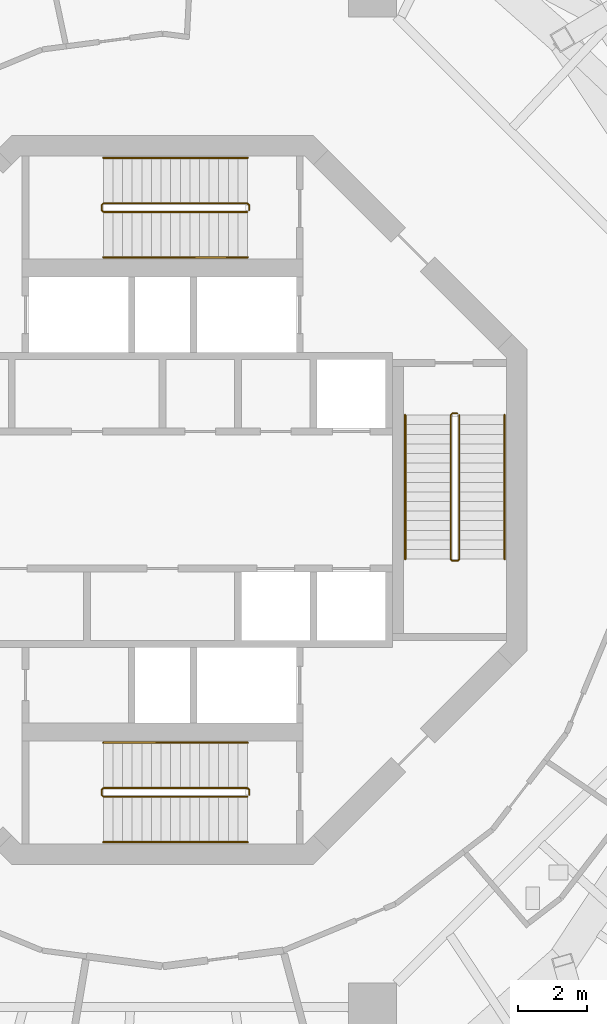
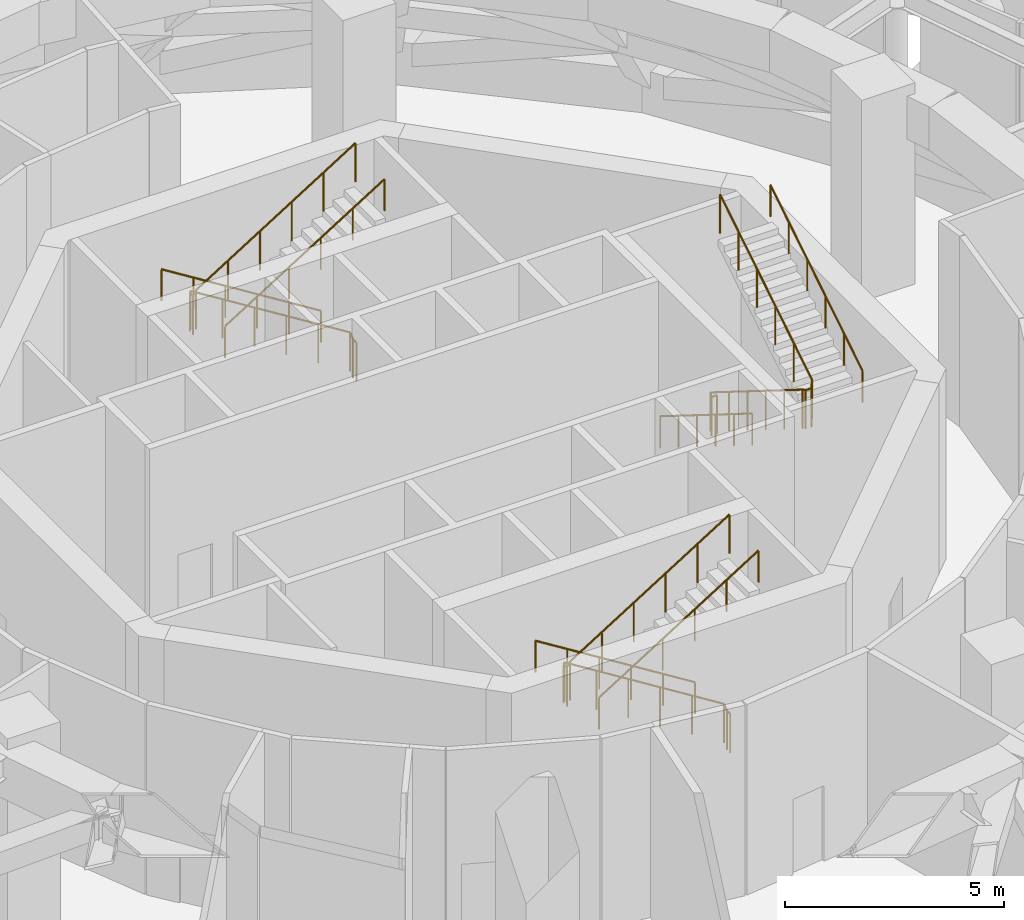
# One storey, part 21 of 22: 9 railings.
"""IFC4 building model written with IfcOpenShell, lengths in metres."""

from ifc_helpers import new_model, si_unit, direction, frame, origin, origin_2d, place, context, subcontext, project, spatial, circle, extrude, material, type_object, element, save


model = new_model("IFC4")

# Units and contexts
model_context = context("Model", 3, precision=1e-05, world=origin(), true_north=direction((0.0, 1.0)))
body_context = subcontext(model_context, "Body", "Model", "MODEL_VIEW")
ifc_project = project(units=[si_unit("LENGTHUNIT", "METRE"), si_unit("AREAUNIT", "SQUARE_METRE"), si_unit("VOLUMEUNIT", "CUBIC_METRE"), si_unit("PLANEANGLEUNIT", "RADIAN"), si_unit("MASSUNIT", "GRAM", prefix="KILO")], contexts=[model_context])

# Site, building, storey
site_placement = place(None, origin())
site = spatial("IfcSite", under=ifc_project, at=site_placement, CompositionType="ELEMENT")
building_placement = place(site_placement, origin())
building = spatial("IfcBuilding", under=site, at=building_placement, Name="Nagisa Residences", CompositionType="ELEMENT")
storey_placement = place(building_placement, frame((0.0, 0.0, 310.300048828125)))
storey = spatial("IfcBuildingStorey", under=building, at=storey_placement, Name="L77", CompositionType="ELEMENT", Elevation=310.300048828125)

# Railings
ifc_material_1 = material(Name="Stainless steel", Category="steel")
railing_type_1 = type_object("IfcRailingType", Name="Stair guard 1100", PredefinedType="GUARDRAIL", material=ifc_material_1)
railing_1_placement = place(storey_placement, frame((8.599609375, 2.52490234375, 0.0)))
element("IfcRailing", 1, at=railing_1_placement, inside=storey, type_object=railing_type_1, Name="L77 ST-E stair guard 1", PredefinedType="GUARDRAIL", context=body_context, shape_type="SweptSolid", body=[
    extrude(circle(Radius=0.02392578125, at=origin_2d()), frame((0.0, 0.0, 1.076171875), z_axis=(-1.0, 0.0, 0.0), x_axis=(0.0, -1.0, 0.0)), (0.0, 0.0, 1.0), 0.14990234375),
    extrude(circle(Radius=0.02392578125, at=origin_2d()), frame((-0.14990234375, 0.0, 1.076171875), z_axis=(-0.265155923931, -0.263862480399, 0.927399011991), x_axis=(0.705375805398, -0.708833529934, 0.0)), (0.0, 0.0, 1.0), 0.188720703125),
    extrude(circle(Radius=0.02392578125, at=origin_2d()), frame((-0.199951171875, -0.0498046875, 1.2509765625), z_axis=(0.0, -0.848009380541, 0.529981217134), x_axis=(1.0, 0.0, 0.0)), (0.0, 0.0, 1.0), 4.953125),
    extrude(circle(Radius=0.02392578125, at=origin_2d()), frame((-0.199951171875, -4.25, 3.8759765625), z_axis=(0.708833529934, -0.705375805398, 0.0), x_axis=(0.705375805398, 0.708833529934, 0.0)), (0.0, 0.0, 1.0), 0.070556640625),
    extrude(circle(Radius=0.02392578125, at=origin_2d()), frame((-0.14990234375, -4.2998046875, 3.8759765625), z_axis=(1.0, 0.0, 0.0), x_axis=(0.0, 1.0, 0.0)), (0.0, 0.0, 1.0), 0.14990234375),
    extrude(circle(Radius=0.02392578125, at=origin_2d()), frame((0.0, -4.2998046875, 3.8759765625), z_axis=(0.265474339444, 0.264179342666, 0.927217692888), x_axis=(-0.705375805398, 0.708833529934, 0.0)), (0.0, 0.0, 1.0), 0.1884765625),
    extrude(circle(Radius=0.02392578125, at=origin_2d()), frame((0.050048828125, -4.25, 4.05078125), z_axis=(0.0, 0.848009380541, 0.529981217134), x_axis=(-1.0, 0.0, 0.0)), (0.0, 0.0, 1.0), 4.953125),
    extrude(circle(Radius=0.02099609375, at=origin_2d()), origin(), (0.0, 0.0, 1.0), 1.052001953125),
    extrude(circle(Radius=0.02099609375, at=origin_2d()), frame((-0.14990234375, 0.0, 0.0)), (0.0, 0.0, 1.0), 1.052001953125),
    extrude(circle(Radius=0.02099609375, at=origin_2d()), frame((-0.199951171875, -0.0498046875, 0.175048828125)), (0.0, 0.0, 1.0), 1.052001953125),
    extrude(circle(Radius=0.02099609375, at=origin_2d()), frame((-0.199951171875, -0.889892578125, 0.699951171875)), (0.0, 0.0, 1.0), 1.052001953125),
    extrude(circle(Radius=0.02099609375, at=origin_2d()), frame((-0.199951171875, -1.72998046875, 1.22509765625)), (0.0, 0.0, 1.0), 1.052001953125),
    extrude(circle(Radius=0.02099609375, at=origin_2d()), frame((-0.199951171875, -2.56982421875, 1.75)), (0.0, 0.0, 1.0), 1.052001953125),
    extrude(circle(Radius=0.02099609375, at=origin_2d()), frame((-0.199951171875, -3.409912109375, 2.275146484375)), (0.0, 0.0, 1.0), 1.052001953125),
    extrude(circle(Radius=0.02099609375, at=origin_2d()), frame((-0.199951171875, -4.25, 2.800048828125)), (0.0, 0.0, 1.0), 1.052001953125),
    extrude(circle(Radius=0.02099609375, at=origin_2d()), frame((-0.14990234375, -4.2998046875, 2.800048828125)), (0.0, 0.0, 1.0), 1.052001953125),
    extrude(circle(Radius=0.02099609375, at=origin_2d()), frame((0.0, -4.2998046875, 2.800048828125)), (0.0, 0.0, 1.0), 1.052001953125),
    extrude(circle(Radius=0.02099609375, at=origin_2d()), frame((0.050048828125, -4.25, 2.974853515625)), (0.0, 0.0, 1.0), 1.052001953125),
    extrude(circle(Radius=0.02099609375, at=origin_2d()), frame((0.050048828125, -3.409912109375, 3.499755859375)), (0.0, 0.0, 1.0), 1.052001953125),
    extrude(circle(Radius=0.02099609375, at=origin_2d()), frame((0.050048828125, -2.56982421875, 4.02490234375)), (0.0, 0.0, 1.0), 1.052001953125),
    extrude(circle(Radius=0.02099609375, at=origin_2d()), frame((0.050048828125, -1.72998046875, 4.5498046875)), (0.0, 0.0, 1.0), 1.052001953125),
    extrude(circle(Radius=0.02099609375, at=origin_2d()), frame((0.050048828125, -0.889892578125, 5.074951171875)), (0.0, 0.0, 1.0), 1.052001953125),
    extrude(circle(Radius=0.02099609375, at=origin_2d()), frame((0.050048828125, -0.0498046875, 5.599853515625)), (0.0, 0.0, 1.0), 1.052001953125),
])
railing_2_placement = place(storey_placement, frame((2.52490234375, 8.44970703125, 0.0)))
element("IfcRailing", 2, at=railing_2_placement, inside=storey, type_object=railing_type_1, Name="L77 ST-N stair guard 1", PredefinedType="GUARDRAIL", context=body_context, shape_type="SweptSolid", body=[
    extrude(circle(Radius=0.02392578125, at=origin_2d()), frame((0.0, 0.0, 1.076171875), z_axis=(0.0, 1.0, 0.0), x_axis=(-1.0, 0.0, 0.0)), (0.0, 0.0, 1.0), 0.14990234375),
    extrude(circle(Radius=0.02392578125, at=origin_2d()), frame((0.0, 0.14990234375, 1.076171875), z_axis=(-0.263862480399, 0.265155923931, 0.927399011991), x_axis=(-0.708833529934, -0.705375805398, 0.0)), (0.0, 0.0, 1.0), 0.188720703125),
    extrude(circle(Radius=0.02392578125, at=origin_2d()), frame((-0.0498046875, 0.199951171875, 1.2509765625), z_axis=(-0.848009380541, 0.0, 0.529981217134), x_axis=(0.0, -1.0, 0.0)), (0.0, 0.0, 1.0), 4.953125),
    extrude(circle(Radius=0.02392578125, at=origin_2d()), frame((-4.25, 0.199951171875, 3.8759765625), z_axis=(-0.705375805398, -0.708833529934, 0.0), x_axis=(0.708833529934, -0.705375805398, 0.0)), (0.0, 0.0, 1.0), 0.070556640625),
    extrude(circle(Radius=0.02392578125, at=origin_2d()), frame((-4.2998046875, 0.14990234375, 3.8759765625), z_axis=(0.0, -1.0, 0.0), x_axis=(1.0, 0.0, 0.0)), (0.0, 0.0, 1.0), 0.14990234375),
    extrude(circle(Radius=0.02392578125, at=origin_2d()), frame((-4.2998046875, 0.0, 3.8759765625), z_axis=(0.264179342666, -0.265474339444, 0.927217692888), x_axis=(0.708833529934, 0.705375805398, 0.0)), (0.0, 0.0, 1.0), 0.1884765625),
    extrude(circle(Radius=0.02392578125, at=origin_2d()), frame((-4.25, -0.050048828125, 4.05078125), z_axis=(0.848009380541, 0.0, 0.529981217134), x_axis=(0.0, 1.0, 0.0)), (0.0, 0.0, 1.0), 4.953125),
    extrude(circle(Radius=0.02099609375, at=origin_2d()), origin(), (0.0, 0.0, 1.0), 1.052001953125),
    extrude(circle(Radius=0.02099609375, at=origin_2d()), frame((0.0, 0.14990234375, 0.0)), (0.0, 0.0, 1.0), 1.052001953125),
    extrude(circle(Radius=0.02099609375, at=origin_2d()), frame((-0.0498046875, 0.199951171875, 0.175048828125)), (0.0, 0.0, 1.0), 1.052001953125),
    extrude(circle(Radius=0.02099609375, at=origin_2d()), frame((-0.889892578125, 0.199951171875, 0.699951171875)), (0.0, 0.0, 1.0), 1.052001953125),
    extrude(circle(Radius=0.02099609375, at=origin_2d()), frame((-1.72998046875, 0.199951171875, 1.22509765625)), (0.0, 0.0, 1.0), 1.052001953125),
    extrude(circle(Radius=0.02099609375, at=origin_2d()), frame((-2.56982421875, 0.199951171875, 1.75)), (0.0, 0.0, 1.0), 1.052001953125),
    extrude(circle(Radius=0.02099609375, at=origin_2d()), frame((-3.409912109375, 0.199951171875, 2.275146484375)), (0.0, 0.0, 1.0), 1.052001953125),
    extrude(circle(Radius=0.02099609375, at=origin_2d()), frame((-4.25, 0.199951171875, 2.800048828125)), (0.0, 0.0, 1.0), 1.052001953125),
    extrude(circle(Radius=0.02099609375, at=origin_2d()), frame((-4.2998046875, 0.14990234375, 2.800048828125)), (0.0, 0.0, 1.0), 1.052001953125),
    extrude(circle(Radius=0.02099609375, at=origin_2d()), frame((-4.2998046875, 0.0, 2.800048828125)), (0.0, 0.0, 1.0), 1.052001953125),
    extrude(circle(Radius=0.02099609375, at=origin_2d()), frame((-4.25, -0.050048828125, 2.974853515625)), (0.0, 0.0, 1.0), 1.052001953125),
    extrude(circle(Radius=0.02099609375, at=origin_2d()), frame((-3.409912109375, -0.050048828125, 3.499755859375)), (0.0, 0.0, 1.0), 1.052001953125),
    extrude(circle(Radius=0.02099609375, at=origin_2d()), frame((-2.56982421875, -0.050048828125, 4.02490234375)), (0.0, 0.0, 1.0), 1.052001953125),
    extrude(circle(Radius=0.02099609375, at=origin_2d()), frame((-1.72998046875, -0.050048828125, 4.5498046875)), (0.0, 0.0, 1.0), 1.052001953125),
    extrude(circle(Radius=0.02099609375, at=origin_2d()), frame((-0.889892578125, -0.050048828125, 5.074951171875)), (0.0, 0.0, 1.0), 1.052001953125),
    extrude(circle(Radius=0.02099609375, at=origin_2d()), frame((-0.0498046875, -0.050048828125, 5.599853515625)), (0.0, 0.0, 1.0), 1.052001953125),
])
railing_3_placement = place(storey_placement, frame((2.52490234375, -8.599609375, 0.0)))
element("IfcRailing", 3, at=railing_3_placement, inside=storey, type_object=railing_type_1, Name="L77 ST-S stair guard 1", PredefinedType="GUARDRAIL", context=body_context, shape_type="SweptSolid", body=[
    extrude(circle(Radius=0.02392578125, at=origin_2d()), frame((0.0, 0.0, 1.076171875), z_axis=(0.0, 1.0, 0.0), x_axis=(-1.0, 0.0, 0.0)), (0.0, 0.0, 1.0), 0.14990234375),
    extrude(circle(Radius=0.02392578125, at=origin_2d()), frame((0.0, 0.14990234375, 1.076171875), z_axis=(-0.263862480399, 0.265155923931, 0.927399011991), x_axis=(-0.708833529934, -0.705375805398, 0.0)), (0.0, 0.0, 1.0), 0.188720703125),
    extrude(circle(Radius=0.02392578125, at=origin_2d()), frame((-0.0498046875, 0.199951171875, 1.2509765625), z_axis=(-0.848009380541, 0.0, 0.529981217134), x_axis=(0.0, -1.0, 0.0)), (0.0, 0.0, 1.0), 4.953125),
    extrude(circle(Radius=0.02392578125, at=origin_2d()), frame((-4.25, 0.199951171875, 3.8759765625), z_axis=(-0.705375805398, -0.708833529934, 0.0), x_axis=(0.708833529934, -0.705375805398, 0.0)), (0.0, 0.0, 1.0), 0.070556640625),
    extrude(circle(Radius=0.02392578125, at=origin_2d()), frame((-4.2998046875, 0.14990234375, 3.8759765625), z_axis=(0.0, -1.0, 0.0), x_axis=(1.0, 0.0, 0.0)), (0.0, 0.0, 1.0), 0.14990234375),
    extrude(circle(Radius=0.02392578125, at=origin_2d()), frame((-4.2998046875, 0.0, 3.8759765625), z_axis=(0.264179342666, -0.265474339444, 0.927217692888), x_axis=(0.708833529934, 0.705375805398, 0.0)), (0.0, 0.0, 1.0), 0.1884765625),
    extrude(circle(Radius=0.02392578125, at=origin_2d()), frame((-4.25, -0.050048828125, 4.05078125), z_axis=(0.848009380541, 0.0, 0.529981217134), x_axis=(0.0, 1.0, 0.0)), (0.0, 0.0, 1.0), 4.953125),
    extrude(circle(Radius=0.02099609375, at=origin_2d()), origin(), (0.0, 0.0, 1.0), 1.052001953125),
    extrude(circle(Radius=0.02099609375, at=origin_2d()), frame((0.0, 0.14990234375, 0.0)), (0.0, 0.0, 1.0), 1.052001953125),
    extrude(circle(Radius=0.02099609375, at=origin_2d()), frame((-0.0498046875, 0.199951171875, 0.175048828125)), (0.0, 0.0, 1.0), 1.052001953125),
    extrude(circle(Radius=0.02099609375, at=origin_2d()), frame((-0.889892578125, 0.199951171875, 0.699951171875)), (0.0, 0.0, 1.0), 1.052001953125),
    extrude(circle(Radius=0.02099609375, at=origin_2d()), frame((-1.72998046875, 0.199951171875, 1.22509765625)), (0.0, 0.0, 1.0), 1.052001953125),
    extrude(circle(Radius=0.02099609375, at=origin_2d()), frame((-2.56982421875, 0.199951171875, 1.75)), (0.0, 0.0, 1.0), 1.052001953125),
    extrude(circle(Radius=0.02099609375, at=origin_2d()), frame((-3.409912109375, 0.199951171875, 2.275146484375)), (0.0, 0.0, 1.0), 1.052001953125),
    extrude(circle(Radius=0.02099609375, at=origin_2d()), frame((-4.25, 0.199951171875, 2.800048828125)), (0.0, 0.0, 1.0), 1.052001953125),
    extrude(circle(Radius=0.02099609375, at=origin_2d()), frame((-4.2998046875, 0.14990234375, 2.800048828125)), (0.0, 0.0, 1.0), 1.052001953125),
    extrude(circle(Radius=0.02099609375, at=origin_2d()), frame((-4.2998046875, 0.0, 2.800048828125)), (0.0, 0.0, 1.0), 1.052001953125),
    extrude(circle(Radius=0.02099609375, at=origin_2d()), frame((-4.25, -0.050048828125, 2.974853515625)), (0.0, 0.0, 1.0), 1.052001953125),
    extrude(circle(Radius=0.02099609375, at=origin_2d()), frame((-3.409912109375, -0.050048828125, 3.499755859375)), (0.0, 0.0, 1.0), 1.052001953125),
    extrude(circle(Radius=0.02099609375, at=origin_2d()), frame((-2.56982421875, -0.050048828125, 4.02490234375)), (0.0, 0.0, 1.0), 1.052001953125),
    extrude(circle(Radius=0.02099609375, at=origin_2d()), frame((-1.72998046875, -0.050048828125, 4.5498046875)), (0.0, 0.0, 1.0), 1.052001953125),
    extrude(circle(Radius=0.02099609375, at=origin_2d()), frame((-0.889892578125, -0.050048828125, 5.074951171875)), (0.0, 0.0, 1.0), 1.052001953125),
    extrude(circle(Radius=0.02099609375, at=origin_2d()), frame((-0.0498046875, -0.050048828125, 5.599853515625)), (0.0, 0.0, 1.0), 1.052001953125),
])
ifc_material_2 = material(Name="Stainless steel", Category="steel")
railing_type_2 = type_object("IfcRailingType", Name="Stair handrail 900", PredefinedType="HANDRAIL", material=ifc_material_2)
railing_4_placement = place(storey_placement, frame((7.07470703125, 2.47509765625, 0.175048828125)))
element("IfcRailing", 4, at=railing_4_placement, inside=storey, type_object=railing_type_2, Name="L77 ST-E stair handrail 1", PredefinedType="HANDRAIL", context=body_context, shape_type="SweptSolid", body=[
    extrude(circle(Radius=0.02392578125, at=origin_2d()), frame((0.0, 0.0, 0.8759765625), z_axis=(0.0, -0.848009380541, 0.529981217134), x_axis=(1.0, 0.0, 0.0)), (0.0, 0.0, 1.0), 4.953125),
    extrude(circle(Radius=0.02099609375, at=origin_2d()), origin(), (0.0, 0.0, 1.0), 0.851806640625),
    extrude(circle(Radius=0.02099609375, at=origin_2d()), frame((0.0, -0.840087890625, 0.52490234375)), (0.0, 0.0, 1.0), 0.851806640625),
    extrude(circle(Radius=0.02099609375, at=origin_2d()), frame((0.0, -1.68017578125, 1.050048828125)), (0.0, 0.0, 1.0), 0.851806640625),
    extrude(circle(Radius=0.02099609375, at=origin_2d()), frame((0.0, -2.52001953125, 1.574951171875)), (0.0, 0.0, 1.0), 0.851806640625),
    extrude(circle(Radius=0.02099609375, at=origin_2d()), frame((0.0, -3.360107421875, 2.10009765625)), (0.0, 0.0, 1.0), 0.851806640625),
    extrude(circle(Radius=0.02099609375, at=origin_2d()), frame((0.0, -4.2001953125, 2.625)), (0.0, 0.0, 1.0), 0.851806640625),
])
railing_5_placement = place(storey_placement, frame((9.974609375, -1.72509765625, 2.974853515625)))
element("IfcRailing", 5, at=railing_5_placement, inside=storey, type_object=railing_type_2, Name="L77 ST-E stair handrail 2", PredefinedType="HANDRAIL", context=body_context, shape_type="SweptSolid", body=[
    extrude(circle(Radius=0.02392578125, at=origin_2d()), frame((0.0, 0.0, 0.8759765625), z_axis=(0.0, 0.848009380541, 0.529981217134), x_axis=(-1.0, 0.0, 0.0)), (0.0, 0.0, 1.0), 4.953125),
    extrude(circle(Radius=0.02099609375, at=origin_2d()), origin(), (0.0, 0.0, 1.0), 0.851806640625),
    extrude(circle(Radius=0.02099609375, at=origin_2d()), frame((0.0, 0.840087890625, 0.52490234375)), (0.0, 0.0, 1.0), 0.851806640625),
    extrude(circle(Radius=0.02099609375, at=origin_2d()), frame((0.0, 1.68017578125, 1.050048828125)), (0.0, 0.0, 1.0), 0.851806640625),
    extrude(circle(Radius=0.02099609375, at=origin_2d()), frame((0.0, 2.52001953125, 1.574951171875)), (0.0, 0.0, 1.0), 0.851806640625),
    extrude(circle(Radius=0.02099609375, at=origin_2d()), frame((0.0, 3.360107421875, 2.10009765625)), (0.0, 0.0, 1.0), 0.851806640625),
    extrude(circle(Radius=0.02099609375, at=origin_2d()), frame((0.0, 4.2001953125, 2.625)), (0.0, 0.0, 1.0), 0.851806640625),
])
railing_6_placement = place(storey_placement, frame((2.47509765625, 9.974609375, 0.175048828125)))
element("IfcRailing", 6, at=railing_6_placement, inside=storey, type_object=railing_type_2, Name="L77 ST-N stair handrail 1", PredefinedType="HANDRAIL", context=body_context, shape_type="SweptSolid", body=[
    extrude(circle(Radius=0.02392578125, at=origin_2d()), frame((0.0, 0.0, 0.8759765625), z_axis=(-0.848009380541, 0.0, 0.529981217134), x_axis=(0.0, -1.0, 0.0)), (0.0, 0.0, 1.0), 4.953125),
    extrude(circle(Radius=0.02099609375, at=origin_2d()), origin(), (0.0, 0.0, 1.0), 0.851806640625),
    extrude(circle(Radius=0.02099609375, at=origin_2d()), frame((-0.840087890625, 0.0, 0.52490234375)), (0.0, 0.0, 1.0), 0.851806640625),
    extrude(circle(Radius=0.02099609375, at=origin_2d()), frame((-1.68017578125, 0.0, 1.050048828125)), (0.0, 0.0, 1.0), 0.851806640625),
    extrude(circle(Radius=0.02099609375, at=origin_2d()), frame((-2.52001953125, 0.0, 1.574951171875)), (0.0, 0.0, 1.0), 0.851806640625),
    extrude(circle(Radius=0.02099609375, at=origin_2d()), frame((-3.360107421875, 0.0, 2.10009765625)), (0.0, 0.0, 1.0), 0.851806640625),
    extrude(circle(Radius=0.02099609375, at=origin_2d()), frame((-4.2001953125, 0.0, 2.625)), (0.0, 0.0, 1.0), 0.851806640625),
])
railing_7_placement = place(storey_placement, frame((-1.72509765625, 7.07470703125, 2.974853515625)))
element("IfcRailing", 7, at=railing_7_placement, inside=storey, type_object=railing_type_2, Name="L77 ST-N stair handrail 2", PredefinedType="HANDRAIL", context=body_context, shape_type="SweptSolid", body=[
    extrude(circle(Radius=0.02392578125, at=origin_2d()), frame((0.0, 0.0, 0.8759765625), z_axis=(0.848009380541, 0.0, 0.529981217134), x_axis=(0.0, 1.0, 0.0)), (0.0, 0.0, 1.0), 4.953125),
    extrude(circle(Radius=0.02099609375, at=origin_2d()), origin(), (0.0, 0.0, 1.0), 0.851806640625),
    extrude(circle(Radius=0.02099609375, at=origin_2d()), frame((0.840087890625, 0.0, 0.52490234375)), (0.0, 0.0, 1.0), 0.851806640625),
    extrude(circle(Radius=0.02099609375, at=origin_2d()), frame((1.68017578125, 0.0, 1.050048828125)), (0.0, 0.0, 1.0), 0.851806640625),
    extrude(circle(Radius=0.02099609375, at=origin_2d()), frame((2.52001953125, 0.0, 1.574951171875)), (0.0, 0.0, 1.0), 0.851806640625),
    extrude(circle(Radius=0.02099609375, at=origin_2d()), frame((3.360107421875, 0.0, 2.10009765625)), (0.0, 0.0, 1.0), 0.851806640625),
    extrude(circle(Radius=0.02099609375, at=origin_2d()), frame((4.2001953125, 0.0, 2.625)), (0.0, 0.0, 1.0), 0.851806640625),
])
railing_8_placement = place(storey_placement, frame((2.47509765625, -7.07470703125, 0.175048828125)))
element("IfcRailing", 8, at=railing_8_placement, inside=storey, type_object=railing_type_2, Name="L77 ST-S stair handrail 1", PredefinedType="HANDRAIL", context=body_context, shape_type="SweptSolid", body=[
    extrude(circle(Radius=0.02392578125, at=origin_2d()), frame((0.0, 0.0, 0.8759765625), z_axis=(-0.848009380541, 0.0, 0.529981217134), x_axis=(0.0, -1.0, 0.0)), (0.0, 0.0, 1.0), 4.953125),
    extrude(circle(Radius=0.02099609375, at=origin_2d()), origin(), (0.0, 0.0, 1.0), 0.851806640625),
    extrude(circle(Radius=0.02099609375, at=origin_2d()), frame((-0.840087890625, 0.0, 0.52490234375)), (0.0, 0.0, 1.0), 0.851806640625),
    extrude(circle(Radius=0.02099609375, at=origin_2d()), frame((-1.68017578125, 0.0, 1.050048828125)), (0.0, 0.0, 1.0), 0.851806640625),
    extrude(circle(Radius=0.02099609375, at=origin_2d()), frame((-2.52001953125, 0.0, 1.574951171875)), (0.0, 0.0, 1.0), 0.851806640625),
    extrude(circle(Radius=0.02099609375, at=origin_2d()), frame((-3.360107421875, 0.0, 2.10009765625)), (0.0, 0.0, 1.0), 0.851806640625),
    extrude(circle(Radius=0.02099609375, at=origin_2d()), frame((-4.2001953125, 0.0, 2.625)), (0.0, 0.0, 1.0), 0.851806640625),
])
railing_9_placement = place(storey_placement, frame((-1.72509765625, -9.974609375, 2.974853515625)))
element("IfcRailing", 9, at=railing_9_placement, inside=storey, type_object=railing_type_2, Name="L77 ST-S stair handrail 2", PredefinedType="HANDRAIL", context=body_context, shape_type="SweptSolid", body=[
    extrude(circle(Radius=0.02392578125, at=origin_2d()), frame((0.0, 0.0, 0.8759765625), z_axis=(0.848009380541, 0.0, 0.529981217134), x_axis=(0.0, 1.0, 0.0)), (0.0, 0.0, 1.0), 4.953125),
    extrude(circle(Radius=0.02099609375, at=origin_2d()), origin(), (0.0, 0.0, 1.0), 0.851806640625),
    extrude(circle(Radius=0.02099609375, at=origin_2d()), frame((0.840087890625, 0.0, 0.52490234375)), (0.0, 0.0, 1.0), 0.851806640625),
    extrude(circle(Radius=0.02099609375, at=origin_2d()), frame((1.68017578125, 0.0, 1.050048828125)), (0.0, 0.0, 1.0), 0.851806640625),
    extrude(circle(Radius=0.02099609375, at=origin_2d()), frame((2.52001953125, 0.0, 1.574951171875)), (0.0, 0.0, 1.0), 0.851806640625),
    extrude(circle(Radius=0.02099609375, at=origin_2d()), frame((3.360107421875, 0.0, 2.10009765625)), (0.0, 0.0, 1.0), 0.851806640625),
    extrude(circle(Radius=0.02099609375, at=origin_2d()), frame((4.2001953125, 0.0, 2.625)), (0.0, 0.0, 1.0), 0.851806640625),
])

save(model, "model.ifc")
